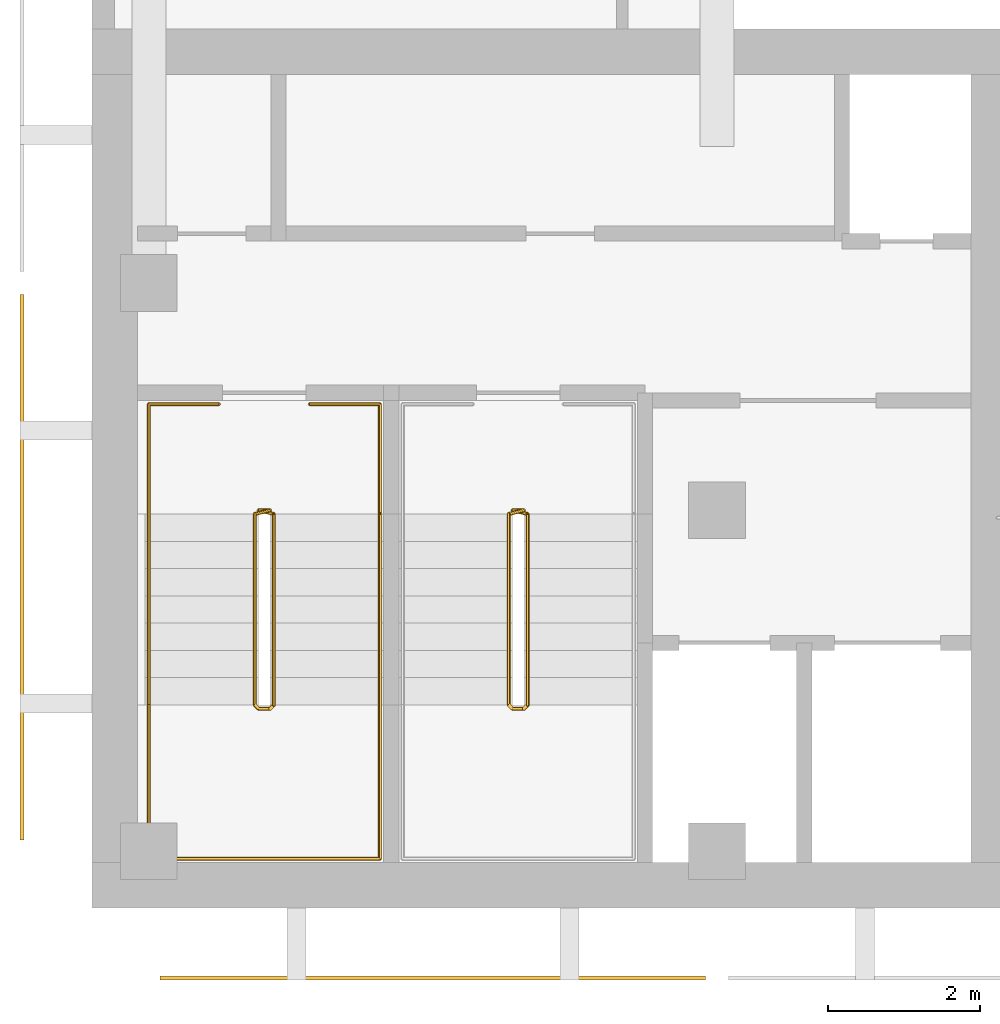
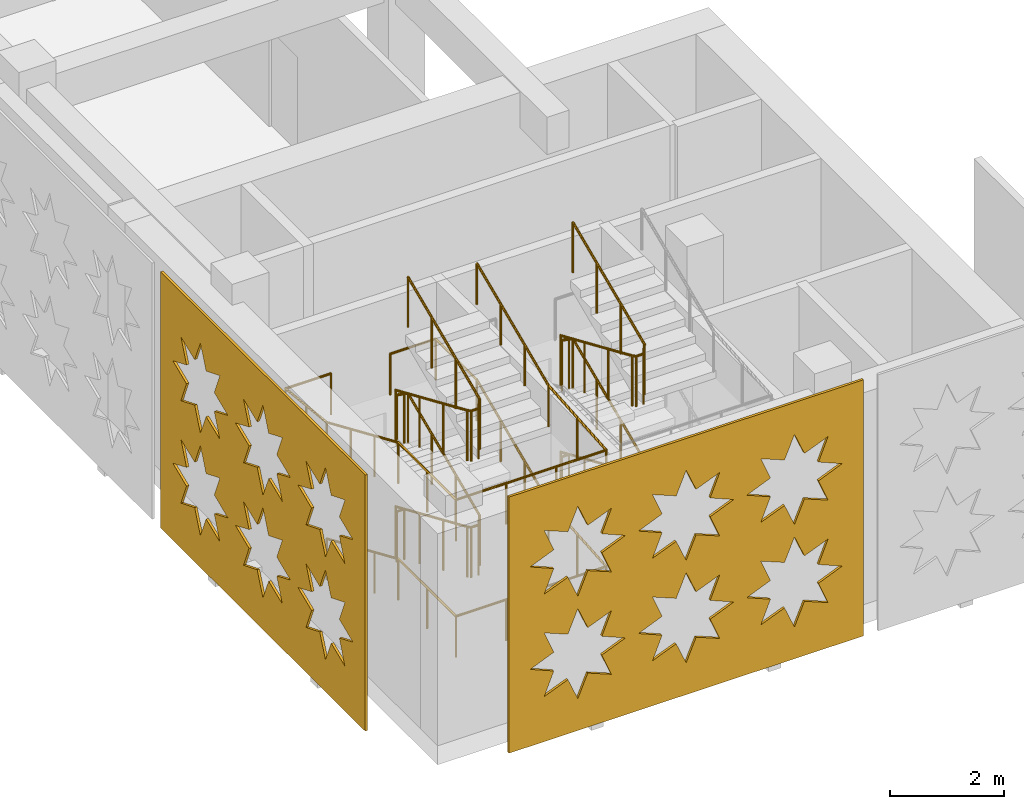
# One storey, part 28 of 40: 4 railings, 2 coverings.
"""IFC4 building model written with IfcOpenShell, lengths in metres."""

import ifcopenshell
import ifcopenshell.guid

model = None  # the IFC model being written
_history = None  # IfcOwnerHistory: only IFC2X3 demands one
_inside = {}  # id of a spatial element -> (the spatial element, [elements in it])
_under = {}  # id of a project, library or spatial element -> (it, [spatial elements below it])
_declared = {}  # id of a project -> (the project, [libraries it declares])
_typed = {}  # id of a type object -> (the type object, [elements of that type])
_made_of = {}  # id of a material, layer set ... -> (it, [elements and type objects made of it])


def new_model(schema):
    """Start an empty IFC model of exactly this schema.

    Asked for "IFC4X3", IfcOpenShell would pick the latest addendum, in which some entities
    have other attributes; the version numbers below select the first issue.
    IFC2X3 requires an IfcOwnerHistory on every rooted entity: one is made here for all.
    """
    global model, _history
    if schema == "IFC4X3":
        model = ifcopenshell.file(schema_version=(4, 3, 0, 0))
    else:
        model = ifcopenshell.file(schema=schema)
    _inside.clear()
    _under.clear()
    _declared.clear()
    _typed.clear()
    _made_of.clear()
    _history = None
    if model.schema == "IFC2X3":
        org = make("IfcOrganization", Name="unknown")
        user = make(
            "IfcPersonAndOrganization",
            ThePerson=make("IfcPerson", FamilyName="unknown"),
            TheOrganization=org,
        )
        app = make(
            "IfcApplication",
            ApplicationDeveloper=org,
            Version="unknown",
            ApplicationFullName="unknown",
            ApplicationIdentifier="unknown",
        )
        _history = make(
            "IfcOwnerHistory",
            OwningUser=user,
            OwningApplication=app,
            ChangeAction="ADDED",
            CreationDate=0,
        )
    return model


def make(cls, **values):
    """One entity of the class cls with the attributes given. An attribute that is None is left unset."""
    return model.create_entity(
        cls, **{name: value for name, value in values.items() if value is not None}
    )


def rooted(cls, **values):
    """An entity with a GlobalId (a new one), such as an element, a storey or a relation."""
    return make(cls, GlobalId=ifcopenshell.guid.new(), OwnerHistory=_history, **values)


def si_unit(unit_type, name, prefix=None):
    """IfcSIUnit, for example si_unit("LENGTHUNIT", "METRE", prefix="MILLI")."""
    return make("IfcSIUnit", UnitType=unit_type, Prefix=prefix, Name=name)


def assignment(units):
    """IfcUnitAssignment: the units of a project."""
    return None if units is None else make("IfcUnitAssignment", Units=units)


def point(xyz):
    """IfcCartesianPoint."""
    return None if xyz is None else make("IfcCartesianPoint", Coordinates=xyz)


def direction(xyz):
    """IfcDirection."""
    return None if xyz is None else make("IfcDirection", DirectionRatios=xyz)


def frame(location, z_axis=None, x_axis=None):
    """IfcAxis2Placement3D, a coordinate frame: its origin and axes. An axis left out is left unset."""
    return make(
        "IfcAxis2Placement3D",
        Location=point(location),
        Axis=direction(z_axis),
        RefDirection=direction(x_axis),
    )


def frame_2d(location, x_axis=None):
    """IfcAxis2Placement2D, a coordinate frame in the plane: its origin and x axis."""
    return make(
        "IfcAxis2Placement2D", Location=point(location), RefDirection=direction(x_axis)
    )


def origin():
    """The frame at (0, 0, 0) with its axes left unset."""
    return frame((0.0, 0.0, 0.0))


def origin_2d():
    """The frame at (0, 0) in the plane with its x axis left unset."""
    return frame_2d((0.0, 0.0))


def place(relative_to, where):
    """IfcLocalPlacement: puts the frame where relative to a parent placement (None: the world)."""
    return make(
        "IfcLocalPlacement", PlacementRelTo=relative_to, RelativePlacement=where
    )


def context(
    kind, dimensions, precision=None, world=None, true_north=None, identifier=None
):
    """IfcGeometricRepresentationContext, for example the 3D "Model" context."""
    return make(
        "IfcGeometricRepresentationContext",
        ContextIdentifier=identifier,
        ContextType=kind,
        CoordinateSpaceDimension=dimensions,
        Precision=precision,
        WorldCoordinateSystem=world,
        TrueNorth=true_north,
    )


def subcontext(parent, identifier, kind, view, scale=None):
    """IfcGeometricRepresentationSubContext, for example "Body" below "Model"."""
    return make(
        "IfcGeometricRepresentationSubContext",
        ContextIdentifier=identifier,
        ContextType=kind,
        ParentContext=parent,
        TargetScale=scale,
        TargetView=view,
    )


def project(units=None, contexts=None):
    """IfcProject with its units and contexts."""
    return rooted(
        "IfcProject",
        Name="project",
        RepresentationContexts=contexts,
        UnitsInContext=assignment(units),
    )


def spatial(cls, under=None, at=None, **own):
    """A site, building, storey or space (cls), placed at a placement, below another one or the project."""
    s = rooted(cls, ObjectPlacement=at, **own)
    if under is not None:
        _under.setdefault(under.id(), (under, []))[1].append(s)
    return s


def polyline(points):
    """IfcPolyline through the points."""
    return make("IfcPolyline", Points=[point(p) for p in points])


def profile(cls, at=None, kind="AREA", **sizes):
    """A parametric profile (cls). Its sizes go by their IFC names, for example OverallWidth=200.0."""
    return make(cls, ProfileType=kind, Position=at, **sizes)


def circle(**sizes):
    """IfcCircleProfileDef."""
    return profile("IfcCircleProfileDef", **sizes)


def outline(outer, holes=None, kind="AREA"):
    """IfcArbitraryClosedProfileDef: a profile drawn as a closed curve; with holes, ...WithVoids."""
    if holes is None:
        return make("IfcArbitraryClosedProfileDef", ProfileType=kind, OuterCurve=outer)
    return make(
        "IfcArbitraryProfileDefWithVoids",
        ProfileType=kind,
        OuterCurve=outer,
        InnerCurves=holes,
    )


def extrude(swept, where, along, depth):
    """IfcExtrudedAreaSolid: the profile swept, set in the frame where, extruded along a direction by depth."""
    return make(
        "IfcExtrudedAreaSolid",
        SweptArea=swept,
        Position=where,
        ExtrudedDirection=direction(along),
        Depth=depth,
    )


def shape(context_of_items, identifier, shape_type, items):
    """IfcShapeRepresentation: the items that make up one representation, for example the "Body"."""
    return make(
        "IfcShapeRepresentation",
        ContextOfItems=context_of_items,
        RepresentationIdentifier=identifier,
        RepresentationType=shape_type,
        Items=items,
    )


def material(Name=None, Category=None):
    """IfcMaterial."""
    return make("IfcMaterial", Name=Name, Category=Category)


def layer(
    of_material, thickness, ventilated=None, Name=None, Category=None, Priority=None
):
    """IfcMaterialLayer: one layer of a wall or slab, of a material (None: an air gap)."""
    return make(
        "IfcMaterialLayer",
        Material=of_material,
        LayerThickness=thickness,
        IsVentilated=ventilated,
        Name=Name,
        Category=Category,
        Priority=Priority,
    )


def layer_set(layers, Name=None):
    """IfcMaterialLayerSet."""
    return make("IfcMaterialLayerSet", MaterialLayers=layers, LayerSetName=Name)


def made_of(thing, what):
    """Note that an element or type object is made of a material, layer set ...; save() writes the relation."""
    if what is not None:
        _made_of.setdefault(what.id(), (what, []))[1].append(thing)
    return thing


def type_object(cls, material=None, **own):
    """A type object (cls), such as IfcWallType, which elements share."""
    return made_of(rooted(cls, **own), material)


def element(
    cls,
    number,
    at=None,
    inside=None,
    cuts=None,
    type_object=None,
    material=None,
    context=None,
    identifier="Body",
    shape_type=None,
    held_by="IfcProductDefinitionShape",
    body=None,
    shapes=None,
    **own,
):
    """One element of the class cls, such as IfcWall. Its Tag is "e" and its number.

    at: its placement. inside: the storey or other place that contains it. cuts: it is an
    opening in that element (IfcRelVoidsElement). A single representation is given by context,
    identifier, shape_type and body (its items); several are given by shapes. held_by: the class
    of the entity that holds the representations. save() writes the other relations.
    """
    e = rooted(cls, Tag="e%d" % number, ObjectPlacement=at, **own)
    if body is not None:
        shapes = [shape(context, identifier, shape_type, body)]
    if shapes is not None:
        e.Representation = make(held_by, Representations=shapes)
    if inside is not None:
        _inside.setdefault(inside.id(), (inside, []))[1].append(e)
    if cuts is not None:
        rooted(
            "IfcRelVoidsElement", RelatingBuildingElement=cuts, RelatedOpeningElement=e
        )
    if type_object is not None:
        _typed.setdefault(type_object.id(), (type_object, []))[1].append(e)
    return made_of(e, material)


def aggregate(whole, parts):
    """IfcRelAggregates: a whole, such as a stair, and the parts it consists of."""
    return rooted("IfcRelAggregates", RelatingObject=whole, RelatedObjects=parts)


def save(model, path):
    """Write the relations noted so far, then the file.

    IfcRelAggregates (storeys below a building ...), IfcRelContainedInSpatialStructure (elements
    in a storey), IfcRelDefinesByType, IfcRelAssociatesMaterial and IfcRelDeclares: one each for
    every whole, place, type object, material and project.
    """
    for whole, parts in _under.values():
        aggregate(whole, parts)
    for where, things in _inside.values():
        rooted(
            "IfcRelContainedInSpatialStructure",
            RelatedElements=things,
            RelatingStructure=where,
        )
    for kind, things in _typed.values():
        rooted("IfcRelDefinesByType", RelatedObjects=things, RelatingType=kind)
    for what, things in _made_of.values():
        rooted("IfcRelAssociatesMaterial", RelatedObjects=things, RelatingMaterial=what)
    for by, libraries in _declared.values():
        rooted("IfcRelDeclares", RelatingContext=by, RelatedDefinitions=libraries)
    model.write(path)


model = new_model("IFC4")

# Units and contexts
model_context = context("Model", 3, precision=1e-05, world=origin(), true_north=direction((0.0, 1.0)))
body_context = subcontext(model_context, "Body", "Model", "MODEL_VIEW")
ifc_project = project(units=[si_unit("LENGTHUNIT", "METRE"), si_unit("AREAUNIT", "SQUARE_METRE"), si_unit("VOLUMEUNIT", "CUBIC_METRE"), si_unit("PLANEANGLEUNIT", "RADIAN"), si_unit("MASSUNIT", "GRAM", prefix="KILO")], contexts=[model_context])

# Site, building, storey
site_placement = place(None, origin())
site = spatial("IfcSite", under=ifc_project, at=site_placement, CompositionType="ELEMENT")
building_placement = place(site_placement, origin())
building = spatial("IfcBuilding", under=site, at=building_placement, Name="Tessera Arch", CompositionType="ELEMENT")
storey_placement = place(building_placement, frame((0.0, 0.0, 21.0)))
storey = spatial("IfcBuildingStorey", under=building, at=storey_placement, Name="L03", CompositionType="ELEMENT", Elevation=21.0)

# Coverings
ifc_material_1 = material(Name="Anodised aluminium pale metal", Category="aluminium")
ifc_layer = layer(ifc_material_1, 0.050048828125)
ifc_layer_set = layer_set([ifc_layer], Name="Museum lattice skin panel")
covering_type = type_object("IfcCoveringType", Name="Museum lattice skin panel", PredefinedType="CLADDING", material=ifc_layer_set)
covering_1_placement = place(storey_placement, frame((-31.64990234375, -33.449951171875, 5.60009765625), z_axis=(0.0, 1.0, 0.0), x_axis=(1.0, 0.0, 0.0)))
element("IfcCovering", 1, at=covering_1_placement, inside=storey, type_object=covering_type, Name="Museum lattice skin L03 1-2", PredefinedType="CLADDING", context=body_context, shape_type="SweptSolid", body=[
    extrude(outline(polyline([(0.0, 0.0), (7.199951171875, 0.0), (7.199951171875, 5.5), (0.0, 5.5), (0.0, 0.0)]), holes=[polyline([(2.367919921875, 3.85009765625), (1.887939453125, 3.648193359375), (2.083984375, 3.166015625), (1.601806640625, 3.362060546875), (1.39990234375, 2.882080078125), (1.197998046875, 3.362060546875), (0.7158203125, 3.166015625), (0.911865234375, 3.648193359375), (0.431884765625, 3.85009765625), (0.911865234375, 4.052001953125), (0.7158203125, 4.5341796875), (1.197998046875, 4.338134765625), (1.39990234375, 4.818115234375), (1.601806640625, 4.338134765625), (2.083984375, 4.5341796875), (1.887939453125, 4.052001953125), (2.367919921875, 3.85009765625)]), polyline([(2.367919921875, 1.650146484375), (1.887939453125, 1.447998046875), (2.083984375, 0.966064453125), (1.601806640625, 1.162109375), (1.39990234375, 0.68212890625), (1.197998046875, 1.162109375), (0.7158203125, 0.966064453125), (0.911865234375, 1.447998046875), (0.431884765625, 1.650146484375), (0.911865234375, 1.85205078125), (0.7158203125, 2.333984375), (1.197998046875, 2.13818359375), (1.39990234375, 2.6181640625), (1.601806640625, 2.13818359375), (2.083984375, 2.333984375), (1.887939453125, 1.85205078125), (2.367919921875, 1.650146484375)]), polyline([(4.56787109375, 3.85009765625), (4.087890625, 3.648193359375), (4.283935546875, 3.166015625), (3.802001953125, 3.362060546875), (3.599853515625, 2.882080078125), (3.39794921875, 3.362060546875), (2.916015625, 3.166015625), (3.11181640625, 3.648193359375), (2.6318359375, 3.85009765625), (3.11181640625, 4.052001953125), (2.916015625, 4.5341796875), (3.39794921875, 4.338134765625), (3.599853515625, 4.818115234375), (3.802001953125, 4.338134765625), (4.283935546875, 4.5341796875), (4.087890625, 4.052001953125), (4.56787109375, 3.85009765625)]), polyline([(4.56787109375, 1.650146484375), (4.087890625, 1.447998046875), (4.283935546875, 0.966064453125), (3.802001953125, 1.162109375), (3.599853515625, 0.68212890625), (3.39794921875, 1.162109375), (2.916015625, 0.966064453125), (3.11181640625, 1.447998046875), (2.6318359375, 1.650146484375), (3.11181640625, 1.85205078125), (2.916015625, 2.333984375), (3.39794921875, 2.13818359375), (3.599853515625, 2.6181640625), (3.802001953125, 2.13818359375), (4.283935546875, 2.333984375), (4.087890625, 1.85205078125), (4.56787109375, 1.650146484375)]), polyline([(6.767822265625, 3.85009765625), (6.287841796875, 3.648193359375), (6.48388671875, 3.166015625), (6.001953125, 3.362060546875), (5.7998046875, 2.882080078125), (5.597900390625, 3.362060546875), (5.115966796875, 3.166015625), (5.31201171875, 3.648193359375), (4.831787109375, 3.85009765625), (5.31201171875, 4.052001953125), (5.115966796875, 4.5341796875), (5.597900390625, 4.338134765625), (5.7998046875, 4.818115234375), (6.001953125, 4.338134765625), (6.48388671875, 4.5341796875), (6.287841796875, 4.052001953125), (6.767822265625, 3.85009765625)]), polyline([(6.767822265625, 1.650146484375), (6.287841796875, 1.447998046875), (6.48388671875, 0.966064453125), (6.001953125, 1.162109375), (5.7998046875, 0.68212890625), (5.597900390625, 1.162109375), (5.115966796875, 0.966064453125), (5.31201171875, 1.447998046875), (4.831787109375, 1.650146484375), (5.31201171875, 1.85205078125), (5.115966796875, 2.333984375), (5.597900390625, 2.13818359375), (5.7998046875, 2.6181640625), (6.001953125, 2.13818359375), (6.48388671875, 2.333984375), (6.287841796875, 1.85205078125), (6.767822265625, 1.650146484375)])]), origin(), (0.0, 0.0, -1.0), 0.050048828125),
])
covering_2_placement = place(storey_placement, frame((-33.449951171875, -24.449951171875, 5.60009765625), z_axis=(1.0, 0.0, 0.0), x_axis=(0.0, -1.0, 0.0)))
element("IfcCovering", 2, at=covering_2_placement, inside=storey, type_object=covering_type, Name="Museum lattice skin L03 6-13", PredefinedType="CLADDING", context=body_context, shape_type="SweptSolid", body=[
    extrude(outline(polyline([(0.0, 0.0), (7.199951171875, 0.0), (7.199951171875, 5.5), (0.0, 5.5), (0.0, 0.0)]), holes=[polyline([(2.3681640625, 3.85009765625), (1.887939453125, 3.648193359375), (2.083984375, 3.166015625), (1.60205078125, 3.362060546875), (1.400146484375, 2.882080078125), (1.197998046875, 3.362060546875), (0.716064453125, 3.166015625), (0.912109375, 3.648193359375), (0.43212890625, 3.85009765625), (0.912109375, 4.052001953125), (0.716064453125, 4.5341796875), (1.197998046875, 4.338134765625), (1.400146484375, 4.818115234375), (1.60205078125, 4.338134765625), (2.083984375, 4.5341796875), (1.887939453125, 4.052001953125), (2.3681640625, 3.85009765625)]), polyline([(2.3681640625, 1.650146484375), (1.887939453125, 1.447998046875), (2.083984375, 0.966064453125), (1.60205078125, 1.162109375), (1.400146484375, 0.68212890625), (1.197998046875, 1.162109375), (0.716064453125, 0.966064453125), (0.912109375, 1.447998046875), (0.43212890625, 1.650146484375), (0.912109375, 1.85205078125), (0.716064453125, 2.333984375), (1.197998046875, 2.13818359375), (1.400146484375, 2.6181640625), (1.60205078125, 2.13818359375), (2.083984375, 2.333984375), (1.887939453125, 1.85205078125), (2.3681640625, 1.650146484375)]), polyline([(4.568115234375, 3.85009765625), (4.088134765625, 3.648193359375), (4.283935546875, 3.166015625), (3.802001953125, 3.362060546875), (3.60009765625, 2.882080078125), (3.39794921875, 3.362060546875), (2.916015625, 3.166015625), (3.112060546875, 3.648193359375), (2.632080078125, 3.85009765625), (3.112060546875, 4.052001953125), (2.916015625, 4.5341796875), (3.39794921875, 4.338134765625), (3.60009765625, 4.818115234375), (3.802001953125, 4.338134765625), (4.283935546875, 4.5341796875), (4.088134765625, 4.052001953125), (4.568115234375, 3.85009765625)]), polyline([(4.568115234375, 1.650146484375), (4.088134765625, 1.447998046875), (4.283935546875, 0.966064453125), (3.802001953125, 1.162109375), (3.60009765625, 0.68212890625), (3.39794921875, 1.162109375), (2.916015625, 0.966064453125), (3.112060546875, 1.447998046875), (2.632080078125, 1.650146484375), (3.112060546875, 1.85205078125), (2.916015625, 2.333984375), (3.39794921875, 2.13818359375), (3.60009765625, 2.6181640625), (3.802001953125, 2.13818359375), (4.283935546875, 2.333984375), (4.088134765625, 1.85205078125), (4.568115234375, 1.650146484375)]), polyline([(6.76806640625, 3.85009765625), (6.2880859375, 3.648193359375), (6.484130859375, 3.166015625), (6.001953125, 3.362060546875), (5.800048828125, 2.882080078125), (5.59814453125, 3.362060546875), (5.115966796875, 3.166015625), (5.31201171875, 3.648193359375), (4.83203125, 3.85009765625), (5.31201171875, 4.052001953125), (5.115966796875, 4.5341796875), (5.59814453125, 4.338134765625), (5.800048828125, 4.818115234375), (6.001953125, 4.338134765625), (6.484130859375, 4.5341796875), (6.2880859375, 4.052001953125), (6.76806640625, 3.85009765625)]), polyline([(6.76806640625, 1.650146484375), (6.2880859375, 1.447998046875), (6.484130859375, 0.966064453125), (6.001953125, 1.162109375), (5.800048828125, 0.68212890625), (5.59814453125, 1.162109375), (5.115966796875, 0.966064453125), (5.31201171875, 1.447998046875), (4.83203125, 1.650146484375), (5.31201171875, 1.85205078125), (5.115966796875, 2.333984375), (5.59814453125, 2.13818359375), (5.800048828125, 2.6181640625), (6.001953125, 2.13818359375), (6.484130859375, 2.333984375), (6.2880859375, 1.85205078125), (6.76806640625, 1.650146484375)])]), origin(), (0.0, 0.0, -1.0), 0.050048828125),
])

# Railings
ifc_material_2 = material(Name="Painted steel balustrade", Category="steel")
railing_type_1 = type_object("IfcRailingType", Name="Stair guard 1100", PredefinedType="GUARDRAIL", material=ifc_material_2)
railing_1_placement = place(storey_placement, frame((-30.35009765625, -27.300048828125, 0.0)))
element("IfcRailing", 3, at=railing_1_placement, inside=storey, type_object=railing_type_1, Name="L03 M2a stair guard 1", PredefinedType="GUARDRAIL", context=body_context, shape_type="SweptSolid", body=[
    extrude(circle(Radius=0.02392578125, at=origin_2d()), frame((-0.00390625, 0.0, 1.076171875), z_axis=(1.0, 0.0, 0.0), x_axis=(0.0, 1.0, 0.0)), (0.0, 0.0, 1.0), 0.158203125),
    extrude(circle(Radius=0.02392578125, at=origin_2d()), frame((0.1533203125, 0.000732421875, 1.07373046875), z_axis=(-0.77305925043, -0.19350078918, 0.604100024756), x_axis=(0.242814311512, -0.970072785993, 0.0)), (0.0, 0.0, 1.0), 0.2666015625),
    extrude(circle(Radius=0.02392578125, at=origin_2d()), frame((-0.0498046875, -0.04638671875, 1.230712890625), z_axis=(0.0, -0.917324189904, 0.398141093855), x_axis=(1.0, 0.0, 0.0)), (0.0, 0.0, 1.0), 2.755126953125),
    extrude(circle(Radius=0.02392578125, at=origin_2d()), frame((-0.052734375, -2.567138671875, 2.326171875), z_axis=(0.707106781187, -0.707106781187, 0.0), x_axis=(0.707106781187, 0.707106781187, 0.0)), (0.0, 0.0, 1.0), 0.078369140625),
    extrude(circle(Radius=0.02392578125, at=origin_2d()), frame((-0.00390625, -2.619873046875, 2.326171875), z_axis=(1.0, 0.0, 0.0), x_axis=(0.0, 1.0, 0.0)), (0.0, 0.0, 1.0), 0.158203125),
    extrude(circle(Radius=0.02392578125, at=origin_2d()), frame((0.14892578125, -2.62109375, 2.322509765625), z_axis=(0.291893400672, 0.290469530425, 0.911276958196), x_axis=(-0.705375805398, 0.708833529934, 0.0)), (0.0, 0.0, 1.0), 0.179443359375),
    extrude(circle(Radius=0.02392578125, at=origin_2d()), frame((0.2001953125, -2.57373046875, 2.480712890625), z_axis=(0.0, 0.917324189904, 0.398141093855), x_axis=(-1.0, 0.0, 0.0)), (0.0, 0.0, 1.0), 2.755126953125),
    extrude(circle(Radius=0.02392578125, at=origin_2d()), frame((0.2041015625, -0.051025390625, 3.576171875), z_axis=(-0.970142500145, 0.242535625036, 0.0), x_axis=(-0.242535625036, -0.970142500145, 0.0)), (0.0, 0.0, 1.0), 0.21435546875),
    extrude(circle(Radius=0.02392578125, at=origin_2d()), frame((-0.00390625, 0.0, 3.576171875), z_axis=(1.0, 0.0, 0.0), x_axis=(0.0, 1.0, 0.0)), (0.0, 0.0, 1.0), 0.158203125),
    extrude(circle(Radius=0.02392578125, at=origin_2d()), frame((0.1533203125, 0.000732421875, 3.57373046875), z_axis=(-0.77305925043, -0.19350078918, 0.604100024756), x_axis=(0.242814311512, -0.970072785993, 0.0)), (0.0, 0.0, 1.0), 0.2666015625),
    extrude(circle(Radius=0.02392578125, at=origin_2d()), frame((-0.0498046875, -0.04638671875, 3.730712890625), z_axis=(0.0, -0.917324189904, 0.398141093855), x_axis=(1.0, 0.0, 0.0)), (0.0, 0.0, 1.0), 2.755126953125),
    extrude(circle(Radius=0.02392578125, at=origin_2d()), frame((-0.052734375, -2.567138671875, 4.826171875), z_axis=(0.707106781187, -0.707106781187, 0.0), x_axis=(0.707106781187, 0.707106781187, 0.0)), (0.0, 0.0, 1.0), 0.078369140625),
    extrude(circle(Radius=0.02392578125, at=origin_2d()), frame((-0.00390625, -2.619873046875, 4.826171875), z_axis=(1.0, 0.0, 0.0), x_axis=(0.0, 1.0, 0.0)), (0.0, 0.0, 1.0), 0.158203125),
    extrude(circle(Radius=0.02392578125, at=origin_2d()), frame((0.14892578125, -2.62109375, 4.822509765625), z_axis=(0.291893400672, 0.290469530425, 0.911276958196), x_axis=(-0.705375805398, 0.708833529934, 0.0)), (0.0, 0.0, 1.0), 0.179443359375),
    extrude(circle(Radius=0.02392578125, at=origin_2d()), frame((0.2001953125, -2.57373046875, 4.980712890625), z_axis=(0.0, 0.917324189904, 0.398141093855), x_axis=(-1.0, 0.0, 0.0)), (0.0, 0.0, 1.0), 2.755126953125),
    extrude(circle(Radius=0.02099609375, at=origin_2d()), origin(), (0.0, 0.0, 1.0), 1.06396484375),
    extrude(circle(Radius=0.02099609375, at=origin_2d()), frame((0.150146484375, 0.0, 0.0)), (0.0, 0.0, 1.0), 1.06396484375),
    extrude(circle(Radius=0.02099609375, at=origin_2d()), frame((-0.0498046875, -0.050048828125, 0.15625)), (0.0, 0.0, 1.0), 1.06396484375),
    extrude(circle(Radius=0.02099609375, at=origin_2d()), frame((-0.0498046875, -0.89013671875, 0.520751953125)), (0.0, 0.0, 1.0), 1.06396484375),
    extrude(circle(Radius=0.02099609375, at=origin_2d()), frame((-0.0498046875, -1.72998046875, 0.885498046875)), (0.0, 0.0, 1.0), 1.06396484375),
    extrude(circle(Radius=0.02099609375, at=origin_2d()), frame((-0.0498046875, -2.570068359375, 1.25)), (0.0, 0.0, 1.0), 1.06396484375),
    extrude(circle(Radius=0.02099609375, at=origin_2d()), frame((0.0, -2.619873046875, 1.25)), (0.0, 0.0, 1.0), 1.06396484375),
    extrude(circle(Radius=0.02099609375, at=origin_2d()), frame((0.150146484375, -2.619873046875, 1.25)), (0.0, 0.0, 1.0), 1.06396484375),
    extrude(circle(Radius=0.02099609375, at=origin_2d()), frame((0.2001953125, -2.570068359375, 1.40625)), (0.0, 0.0, 1.0), 1.06396484375),
    extrude(circle(Radius=0.02099609375, at=origin_2d()), frame((0.2001953125, -1.72998046875, 1.770751953125)), (0.0, 0.0, 1.0), 1.06396484375),
    extrude(circle(Radius=0.02099609375, at=origin_2d()), frame((0.2001953125, -0.89013671875, 2.135498046875)), (0.0, 0.0, 1.0), 1.06396484375),
    extrude(circle(Radius=0.02099609375, at=origin_2d()), frame((0.2001953125, -0.050048828125, 2.5)), (0.0, 0.0, 1.0), 1.06396484375),
    extrude(circle(Radius=0.02099609375, at=origin_2d()), frame((0.0, 0.0, 2.5)), (0.0, 0.0, 1.0), 1.06396484375),
    extrude(circle(Radius=0.02099609375, at=origin_2d()), frame((0.150146484375, 0.0, 2.5)), (0.0, 0.0, 1.0), 1.06396484375),
    extrude(circle(Radius=0.02099609375, at=origin_2d()), frame((-0.0498046875, -0.050048828125, 2.65625)), (0.0, 0.0, 1.0), 1.06396484375),
    extrude(circle(Radius=0.02099609375, at=origin_2d()), frame((-0.0498046875, -0.89013671875, 3.020751953125)), (0.0, 0.0, 1.0), 1.06396484375),
    extrude(circle(Radius=0.02099609375, at=origin_2d()), frame((-0.0498046875, -1.72998046875, 3.385498046875)), (0.0, 0.0, 1.0), 1.06396484375),
    extrude(circle(Radius=0.02099609375, at=origin_2d()), frame((-0.0498046875, -2.570068359375, 3.75)), (0.0, 0.0, 1.0), 1.06396484375),
    extrude(circle(Radius=0.02099609375, at=origin_2d()), frame((0.0, -2.619873046875, 3.75)), (0.0, 0.0, 1.0), 1.06396484375),
    extrude(circle(Radius=0.02099609375, at=origin_2d()), frame((0.150146484375, -2.619873046875, 3.75)), (0.0, 0.0, 1.0), 1.06396484375),
    extrude(circle(Radius=0.02099609375, at=origin_2d()), frame((0.2001953125, -2.570068359375, 3.90625)), (0.0, 0.0, 1.0), 1.06396484375),
    extrude(circle(Radius=0.02099609375, at=origin_2d()), frame((0.2001953125, -1.72998046875, 4.270751953125)), (0.0, 0.0, 1.0), 1.06396484375),
    extrude(circle(Radius=0.02099609375, at=origin_2d()), frame((0.2001953125, -0.89013671875, 4.635498046875)), (0.0, 0.0, 1.0), 1.06396484375),
    extrude(circle(Radius=0.02099609375, at=origin_2d()), frame((0.2001953125, -0.050048828125, 5.0)), (0.0, 0.0, 1.0), 1.06396484375),
])
railing_2_placement = place(storey_placement, frame((-27.0, -27.300048828125, 0.0)))
element("IfcRailing", 4, at=railing_2_placement, inside=storey, type_object=railing_type_1, Name="L03 M2b stair guard 1", PredefinedType="GUARDRAIL", context=body_context, shape_type="SweptSolid", body=[
    extrude(circle(Radius=0.02392578125, at=origin_2d()), frame((-0.00390625, 0.0, 1.076171875), z_axis=(1.0, 0.0, 0.0), x_axis=(0.0, 1.0, 0.0)), (0.0, 0.0, 1.0), 0.157958984375),
    extrude(circle(Radius=0.02392578125, at=origin_2d()), frame((0.153076171875, 0.000732421875, 1.07373046875), z_axis=(-0.77305925043, -0.19350078918, 0.604100024756), x_axis=(0.242814311512, -0.970072785993, 0.0)), (0.0, 0.0, 1.0), 0.2666015625),
    extrude(circle(Radius=0.02392578125, at=origin_2d()), frame((-0.050048828125, -0.04638671875, 1.230712890625), z_axis=(0.0, -0.917324189904, 0.398141093855), x_axis=(1.0, 0.0, 0.0)), (0.0, 0.0, 1.0), 2.755126953125),
    extrude(circle(Radius=0.02392578125, at=origin_2d()), frame((-0.052978515625, -2.567138671875, 2.326171875), z_axis=(0.708833529934, -0.705375805398, 0.0), x_axis=(0.705375805398, 0.708833529934, 0.0)), (0.0, 0.0, 1.0), 0.07861328125),
    extrude(circle(Radius=0.02392578125, at=origin_2d()), frame((-0.00390625, -2.619873046875, 2.326171875), z_axis=(1.0, 0.0, 0.0), x_axis=(0.0, 1.0, 0.0)), (0.0, 0.0, 1.0), 0.157958984375),
    extrude(circle(Radius=0.02392578125, at=origin_2d()), frame((0.148681640625, -2.62109375, 2.322509765625), z_axis=(0.291893400672, 0.290469530425, 0.911276958196), x_axis=(-0.705375805398, 0.708833529934, 0.0)), (0.0, 0.0, 1.0), 0.179443359375),
    extrude(circle(Radius=0.02392578125, at=origin_2d()), frame((0.199951171875, -2.57373046875, 2.480712890625), z_axis=(0.0, 0.917324189904, 0.398141093855), x_axis=(-1.0, 0.0, 0.0)), (0.0, 0.0, 1.0), 2.755126953125),
    extrude(circle(Radius=0.02392578125, at=origin_2d()), frame((0.203857421875, -0.051025390625, 3.576171875), z_axis=(-0.970072785993, 0.242814311512, 0.0), x_axis=(-0.242814311512, -0.970072785993, 0.0)), (0.0, 0.0, 1.0), 0.214111328125),
    extrude(circle(Radius=0.02392578125, at=origin_2d()), frame((-0.00390625, 0.0, 3.576171875), z_axis=(1.0, 0.0, 0.0), x_axis=(0.0, 1.0, 0.0)), (0.0, 0.0, 1.0), 0.157958984375),
    extrude(circle(Radius=0.02392578125, at=origin_2d()), frame((0.153076171875, 0.000732421875, 3.57373046875), z_axis=(-0.77305925043, -0.19350078918, 0.604100024756), x_axis=(0.242814311512, -0.970072785993, 0.0)), (0.0, 0.0, 1.0), 0.2666015625),
    extrude(circle(Radius=0.02392578125, at=origin_2d()), frame((-0.050048828125, -0.04638671875, 3.730712890625), z_axis=(0.0, -0.917324189904, 0.398141093855), x_axis=(1.0, 0.0, 0.0)), (0.0, 0.0, 1.0), 2.755126953125),
    extrude(circle(Radius=0.02392578125, at=origin_2d()), frame((-0.052978515625, -2.567138671875, 4.826171875), z_axis=(0.708833529934, -0.705375805398, 0.0), x_axis=(0.705375805398, 0.708833529934, 0.0)), (0.0, 0.0, 1.0), 0.07861328125),
    extrude(circle(Radius=0.02392578125, at=origin_2d()), frame((-0.00390625, -2.619873046875, 4.826171875), z_axis=(1.0, 0.0, 0.0), x_axis=(0.0, 1.0, 0.0)), (0.0, 0.0, 1.0), 0.157958984375),
    extrude(circle(Radius=0.02392578125, at=origin_2d()), frame((0.148681640625, -2.62109375, 4.822509765625), z_axis=(0.291893400672, 0.290469530425, 0.911276958196), x_axis=(-0.705375805398, 0.708833529934, 0.0)), (0.0, 0.0, 1.0), 0.179443359375),
    extrude(circle(Radius=0.02392578125, at=origin_2d()), frame((0.199951171875, -2.57373046875, 4.980712890625), z_axis=(0.0, 0.917324189904, 0.398141093855), x_axis=(-1.0, 0.0, 0.0)), (0.0, 0.0, 1.0), 2.755126953125),
    extrude(circle(Radius=0.02099609375, at=origin_2d()), origin(), (0.0, 0.0, 1.0), 1.06396484375),
    extrude(circle(Radius=0.02099609375, at=origin_2d()), frame((0.14990234375, 0.0, 0.0)), (0.0, 0.0, 1.0), 1.06396484375),
    extrude(circle(Radius=0.02099609375, at=origin_2d()), frame((-0.050048828125, -0.050048828125, 0.15625)), (0.0, 0.0, 1.0), 1.06396484375),
    extrude(circle(Radius=0.02099609375, at=origin_2d()), frame((-0.050048828125, -0.89013671875, 0.520751953125)), (0.0, 0.0, 1.0), 1.06396484375),
    extrude(circle(Radius=0.02099609375, at=origin_2d()), frame((-0.050048828125, -1.72998046875, 0.885498046875)), (0.0, 0.0, 1.0), 1.06396484375),
    extrude(circle(Radius=0.02099609375, at=origin_2d()), frame((-0.050048828125, -2.570068359375, 1.25)), (0.0, 0.0, 1.0), 1.06396484375),
    extrude(circle(Radius=0.02099609375, at=origin_2d()), frame((0.0, -2.619873046875, 1.25)), (0.0, 0.0, 1.0), 1.06396484375),
    extrude(circle(Radius=0.02099609375, at=origin_2d()), frame((0.14990234375, -2.619873046875, 1.25)), (0.0, 0.0, 1.0), 1.06396484375),
    extrude(circle(Radius=0.02099609375, at=origin_2d()), frame((0.199951171875, -2.570068359375, 1.40625)), (0.0, 0.0, 1.0), 1.06396484375),
    extrude(circle(Radius=0.02099609375, at=origin_2d()), frame((0.199951171875, -1.72998046875, 1.770751953125)), (0.0, 0.0, 1.0), 1.06396484375),
    extrude(circle(Radius=0.02099609375, at=origin_2d()), frame((0.199951171875, -0.89013671875, 2.135498046875)), (0.0, 0.0, 1.0), 1.06396484375),
    extrude(circle(Radius=0.02099609375, at=origin_2d()), frame((0.199951171875, -0.050048828125, 2.5)), (0.0, 0.0, 1.0), 1.06396484375),
    extrude(circle(Radius=0.02099609375, at=origin_2d()), frame((0.0, 0.0, 2.5)), (0.0, 0.0, 1.0), 1.06396484375),
    extrude(circle(Radius=0.02099609375, at=origin_2d()), frame((0.14990234375, 0.0, 2.5)), (0.0, 0.0, 1.0), 1.06396484375),
    extrude(circle(Radius=0.02099609375, at=origin_2d()), frame((-0.050048828125, -0.050048828125, 2.65625)), (0.0, 0.0, 1.0), 1.06396484375),
    extrude(circle(Radius=0.02099609375, at=origin_2d()), frame((-0.050048828125, -0.89013671875, 3.020751953125)), (0.0, 0.0, 1.0), 1.06396484375),
    extrude(circle(Radius=0.02099609375, at=origin_2d()), frame((-0.050048828125, -1.72998046875, 3.385498046875)), (0.0, 0.0, 1.0), 1.06396484375),
    extrude(circle(Radius=0.02099609375, at=origin_2d()), frame((-0.050048828125, -2.570068359375, 3.75)), (0.0, 0.0, 1.0), 1.06396484375),
    extrude(circle(Radius=0.02099609375, at=origin_2d()), frame((0.0, -2.619873046875, 3.75)), (0.0, 0.0, 1.0), 1.06396484375),
    extrude(circle(Radius=0.02099609375, at=origin_2d()), frame((0.14990234375, -2.619873046875, 3.75)), (0.0, 0.0, 1.0), 1.06396484375),
    extrude(circle(Radius=0.02099609375, at=origin_2d()), frame((0.199951171875, -2.570068359375, 3.90625)), (0.0, 0.0, 1.0), 1.06396484375),
    extrude(circle(Radius=0.02099609375, at=origin_2d()), frame((0.199951171875, -1.72998046875, 4.270751953125)), (0.0, 0.0, 1.0), 1.06396484375),
    extrude(circle(Radius=0.02099609375, at=origin_2d()), frame((0.199951171875, -0.89013671875, 4.635498046875)), (0.0, 0.0, 1.0), 1.06396484375),
    extrude(circle(Radius=0.02099609375, at=origin_2d()), frame((0.199951171875, -0.050048828125, 5.0)), (0.0, 0.0, 1.0), 1.06396484375),
])
ifc_material_3 = material(Name="Painted steel handrail", Category="steel")
railing_type_2 = type_object("IfcRailingType", Name="Stair handrail 900", PredefinedType="HANDRAIL", material=ifc_material_3)
railing_3_placement = place(storey_placement, frame((-31.800048828125, -27.35009765625, 0.15625)))
element("IfcRailing", 5, at=railing_3_placement, inside=storey, type_object=railing_type_2, Name="L03 M2a stair handrail", PredefinedType="HANDRAIL", context=body_context, shape_type="SweptSolid", body=[
    extrude(circle(Radius=0.02392578125, at=origin_2d()), frame((0.0, 0.003662109375, 0.874267578125), z_axis=(0.0, -0.917324189904, 0.398141093855), x_axis=(1.0, 0.0, 0.0)), (0.0, 0.0, 1.0), 2.755126953125),
    extrude(circle(Radius=0.02392578125, at=origin_2d()), frame((0.0, -2.51611328125, 1.9697265625), z_axis=(0.0, -1.0, 0.0), x_axis=(1.0, 0.0, 0.0)), (0.0, 0.0, 1.0), 2.037841796875),
    extrude(circle(Radius=0.02392578125, at=origin_2d()), frame((-0.00390625, -4.5498046875, 1.9697265625), z_axis=(1.0, 0.0, 0.0), x_axis=(0.0, 1.0, 0.0)), (0.0, 0.0, 1.0), 3.05810546875),
    extrude(circle(Radius=0.02392578125, at=origin_2d()), frame((3.050048828125, -4.5537109375, 1.96923828125), z_axis=(0.0, 0.997050251363, 0.076751522838), x_axis=(-1.0, 0.0, 0.0)), (0.0, 0.0, 1.0), 2.043701171875),
    extrude(circle(Radius=0.02392578125, at=origin_2d()), frame((3.050048828125, -2.523681640625, 2.124267578125), z_axis=(0.0, 0.917324189904, 0.398141093855), x_axis=(-1.0, 0.0, 0.0)), (0.0, 0.0, 1.0), 2.755126953125),
    extrude(circle(Radius=0.02392578125, at=origin_2d()), frame((3.050048828125, -0.00390625, 3.2197265625), z_axis=(0.0, 1.0, 0.0), x_axis=(-1.0, 0.0, 0.0)), (0.0, 0.0, 1.0), 1.458251953125),
    extrude(circle(Radius=0.02392578125, at=origin_2d()), frame((3.053955078125, 1.4501953125, 3.2197265625), z_axis=(-1.0, 0.0, 0.0), x_axis=(0.0, -1.0, 0.0)), (0.0, 0.0, 1.0), 0.93310546875),
    extrude(circle(Radius=0.02099609375, at=origin_2d()), origin(), (0.0, 0.0, 1.0), 0.86376953125),
    extrude(circle(Radius=0.02099609375, at=origin_2d()), frame((0.0, -0.840087890625, 0.364501953125)), (0.0, 0.0, 1.0), 0.86376953125),
    extrude(circle(Radius=0.02099609375, at=origin_2d()), frame((0.0, -1.679931640625, 0.729248046875)), (0.0, 0.0, 1.0), 0.86376953125),
    extrude(circle(Radius=0.02099609375, at=origin_2d()), frame((0.0, -2.52001953125, 1.09375)), (0.0, 0.0, 1.0), 0.86376953125),
    extrude(circle(Radius=0.02099609375, at=origin_2d()), frame((0.0, -3.534912109375, 1.09375)), (0.0, 0.0, 1.0), 0.86376953125),
    extrude(circle(Radius=0.02099609375, at=origin_2d()), frame((0.0, -4.5498046875, 1.09375)), (0.0, 0.0, 1.0), 0.86376953125),
    extrude(circle(Radius=0.02099609375, at=origin_2d()), frame((1.0166015625, -4.5498046875, 1.09375)), (0.0, 0.0, 1.0), 0.86376953125),
    extrude(circle(Radius=0.02099609375, at=origin_2d()), frame((2.033447265625, -4.5498046875, 1.09375)), (0.0, 0.0, 1.0), 0.86376953125),
    extrude(circle(Radius=0.02099609375, at=origin_2d()), frame((3.050048828125, -4.5498046875, 1.09375)), (0.0, 0.0, 1.0), 0.86376953125),
    extrude(circle(Radius=0.02099609375, at=origin_2d()), frame((3.050048828125, -3.534912109375, 1.171875)), (0.0, 0.0, 1.0), 0.86376953125),
    extrude(circle(Radius=0.02099609375, at=origin_2d()), frame((3.050048828125, -2.52001953125, 1.25)), (0.0, 0.0, 1.0), 0.86376953125),
    extrude(circle(Radius=0.02099609375, at=origin_2d()), frame((3.050048828125, -1.679931640625, 1.614501953125)), (0.0, 0.0, 1.0), 0.86376953125),
    extrude(circle(Radius=0.02099609375, at=origin_2d()), frame((3.050048828125, -0.840087890625, 1.979248046875)), (0.0, 0.0, 1.0), 0.86376953125),
    extrude(circle(Radius=0.02099609375, at=origin_2d()), frame((3.050048828125, 0.0, 2.34375)), (0.0, 0.0, 1.0), 0.86376953125),
    extrude(circle(Radius=0.02099609375, at=origin_2d()), frame((3.050048828125, 0.72509765625, 2.34375)), (0.0, 0.0, 1.0), 0.86376953125),
    extrude(circle(Radius=0.02099609375, at=origin_2d()), frame((3.050048828125, 1.4501953125, 2.34375)), (0.0, 0.0, 1.0), 0.86376953125),
    extrude(circle(Radius=0.02099609375, at=origin_2d()), frame((2.125, 1.4501953125, 2.34375)), (0.0, 0.0, 1.0), 0.86376953125),
])
railing_4_placement = place(storey_placement, frame((-30.875, -25.89990234375, 2.5)))
element("IfcRailing", 6, at=railing_4_placement, inside=storey, type_object=railing_type_2, Name="L03 M2a stair handrail 2", PredefinedType="HANDRAIL", context=body_context, shape_type="SweptSolid", body=[
    extrude(circle(Radius=0.02392578125, at=origin_2d()), frame((0.00390625, 0.0, 0.8759765625), z_axis=(-1.0, 0.0, 0.0), x_axis=(0.0, -1.0, 0.0)), (0.0, 0.0, 1.0), 0.93310546875),
    extrude(circle(Radius=0.02392578125, at=origin_2d()), frame((-0.925048828125, 0.00390625, 0.87548828125), z_axis=(0.0, -0.994245656174, 0.107124111103), x_axis=(1.0, 0.0, 0.0)), (0.0, 0.0, 1.0), 1.466552734375),
    extrude(circle(Radius=0.02392578125, at=origin_2d()), frame((-0.925048828125, -1.446533203125, 1.030517578125), z_axis=(0.0, -0.917324189904, 0.398141093855), x_axis=(1.0, 0.0, 0.0)), (0.0, 0.0, 1.0), 2.755126953125),
    extrude(circle(Radius=0.02392578125, at=origin_2d()), frame((-0.925048828125, -3.96630859375, 2.1259765625), z_axis=(0.0, -1.0, 0.0), x_axis=(1.0, 0.0, 0.0)), (0.0, 0.0, 1.0), 2.037841796875),
    extrude(circle(Radius=0.02392578125, at=origin_2d()), frame((-0.928955078125, -6.0, 2.1259765625), z_axis=(1.0, 0.0, 0.0), x_axis=(0.0, 1.0, 0.0)), (0.0, 0.0, 1.0), 3.05810546875),
    extrude(circle(Radius=0.02392578125, at=origin_2d()), frame((2.125, -6.00390625, 2.12548828125), z_axis=(0.0, 0.997050251363, 0.076751522838), x_axis=(-1.0, 0.0, 0.0)), (0.0, 0.0, 1.0), 2.043701171875),
    extrude(circle(Radius=0.02392578125, at=origin_2d()), frame((2.125, -3.973876953125, 2.280517578125), z_axis=(0.0, 0.917324189904, 0.398141093855), x_axis=(-1.0, 0.0, 0.0)), (0.0, 0.0, 1.0), 2.755126953125),
    extrude(circle(Radius=0.02099609375, at=origin_2d()), origin(), (0.0, 0.0, 1.0), 0.86376953125),
    extrude(circle(Radius=0.02099609375, at=origin_2d()), frame((-0.925048828125, 0.0, 0.0)), (0.0, 0.0, 1.0), 0.86376953125),
    extrude(circle(Radius=0.02099609375, at=origin_2d()), frame((-0.925048828125, -0.72509765625, 0.078125)), (0.0, 0.0, 1.0), 0.86376953125),
    extrude(circle(Radius=0.02099609375, at=origin_2d()), frame((-0.925048828125, -1.4501953125, 0.15625)), (0.0, 0.0, 1.0), 0.86376953125),
    extrude(circle(Radius=0.02099609375, at=origin_2d()), frame((-0.925048828125, -2.290283203125, 0.520751953125)), (0.0, 0.0, 1.0), 0.86376953125),
    extrude(circle(Radius=0.02099609375, at=origin_2d()), frame((-0.925048828125, -3.130126953125, 0.885498046875)), (0.0, 0.0, 1.0), 0.86376953125),
    extrude(circle(Radius=0.02099609375, at=origin_2d()), frame((-0.925048828125, -3.97021484375, 1.25)), (0.0, 0.0, 1.0), 0.86376953125),
    extrude(circle(Radius=0.02099609375, at=origin_2d()), frame((-0.925048828125, -4.985107421875, 1.25)), (0.0, 0.0, 1.0), 0.86376953125),
    extrude(circle(Radius=0.02099609375, at=origin_2d()), frame((-0.925048828125, -6.0, 1.25)), (0.0, 0.0, 1.0), 0.86376953125),
    extrude(circle(Radius=0.02099609375, at=origin_2d()), frame((0.091552734375, -6.0, 1.25)), (0.0, 0.0, 1.0), 0.86376953125),
    extrude(circle(Radius=0.02099609375, at=origin_2d()), frame((1.1083984375, -6.0, 1.25)), (0.0, 0.0, 1.0), 0.86376953125),
    extrude(circle(Radius=0.02099609375, at=origin_2d()), frame((2.125, -6.0, 1.25)), (0.0, 0.0, 1.0), 0.86376953125),
    extrude(circle(Radius=0.02099609375, at=origin_2d()), frame((2.125, -4.985107421875, 1.328125)), (0.0, 0.0, 1.0), 0.86376953125),
    extrude(circle(Radius=0.02099609375, at=origin_2d()), frame((2.125, -3.97021484375, 1.40625)), (0.0, 0.0, 1.0), 0.86376953125),
    extrude(circle(Radius=0.02099609375, at=origin_2d()), frame((2.125, -3.130126953125, 1.770751953125)), (0.0, 0.0, 1.0), 0.86376953125),
    extrude(circle(Radius=0.02099609375, at=origin_2d()), frame((2.125, -2.290283203125, 2.135498046875)), (0.0, 0.0, 1.0), 0.86376953125),
    extrude(circle(Radius=0.02099609375, at=origin_2d()), frame((2.125, -1.4501953125, 2.5)), (0.0, 0.0, 1.0), 0.86376953125),
])

save(model, "model.ifc")
